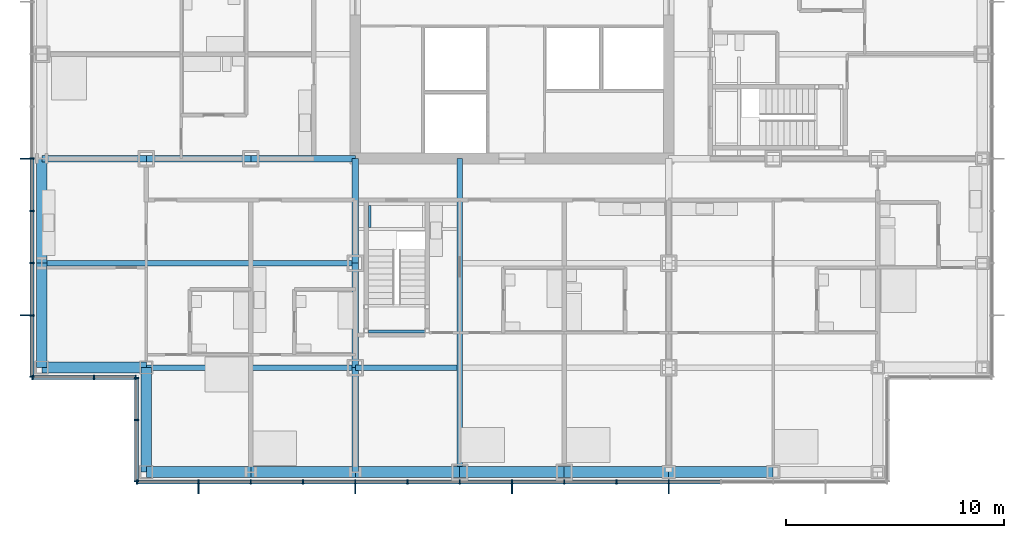
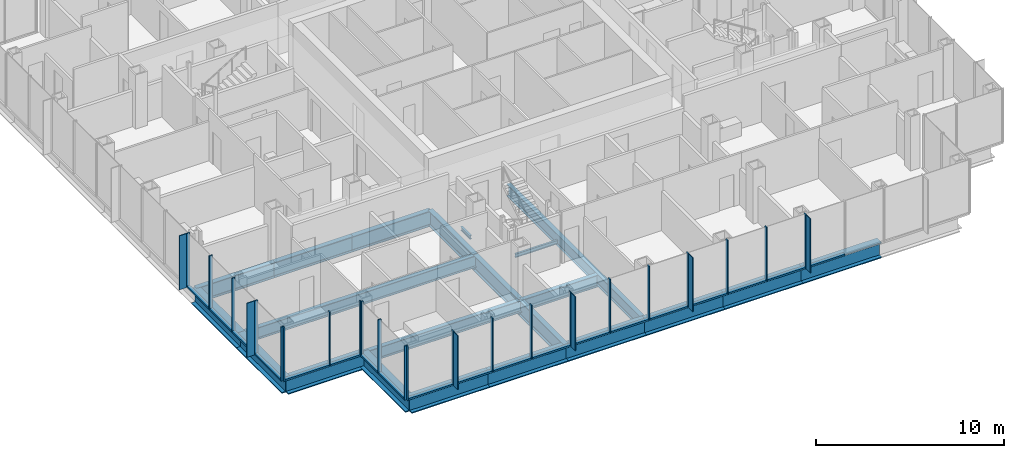
# One storey, part 6 of 21: 47 members, 22 beams, 4 elements without a shape of their own.
"""IFC4 building model written with IfcOpenShell, lengths in metres."""

from ifc_helpers import new_model, si_unit, direction, frame, origin, origin_2d, place, context, subcontext, project, spatial, rectangle, i_section, extrude, material, material_profile, profile_set, type_object, element, aggregate, save


model = new_model("IFC4")

# Units and contexts
model_context = context("Model", 3, precision=1e-05, world=origin(), true_north=direction((0.0, 1.0)))
body_context = subcontext(model_context, "Body", "Model", "MODEL_VIEW")
ifc_project = project(units=[si_unit("LENGTHUNIT", "METRE"), si_unit("AREAUNIT", "SQUARE_METRE"), si_unit("VOLUMEUNIT", "CUBIC_METRE"), si_unit("PLANEANGLEUNIT", "RADIAN"), si_unit("MASSUNIT", "GRAM", prefix="KILO")], contexts=[model_context])

# Site, building, storey
site_placement = place(None, origin())
site = spatial("IfcSite", under=ifc_project, at=site_placement, CompositionType="ELEMENT")
building_placement = place(site_placement, origin())
building = spatial("IfcBuilding", under=site, at=building_placement, Name="Kvirike Care Tower", CompositionType="ELEMENT")
storey_placement = place(building_placement, frame((0.0, 0.0, 27.0)))
storey = spatial("IfcBuildingStorey", under=building, at=storey_placement, Name="L06", CompositionType="ELEMENT", Elevation=27.0)

# Curtain wall, members
ifc_material_1 = material(Name="Anodised aluminium stick system", Category="aluminium")
curtain_wall_type = type_object("IfcCurtainWallType", Name="CW-A STICK CURTAIN WALL", PredefinedType="NOTDEFINED", material=ifc_material_1)
curtain_wall_1_placement = place(storey_placement, origin())
curtain_wall_1 = element("IfcCurtainWall", 1, at=curtain_wall_1_placement, inside=storey, type_object=curtain_wall_type, Name="Curtain wall L06 face 1", PredefinedType="NOTDEFINED")
ifc_material_2 = material(Name="Bronze anodised aluminium fin", Category="aluminium")
ifc_material_profile_1 = material_profile(ifc_material_2, rectangle(XDim=0.050048828125, YDim=0.449951171875, at=origin_2d()), Name="BRONZE FIN 450")
ifc_profile_set_1 = profile_set([ifc_material_profile_1], Name="Bronze anodised aluminium fin")
member_type_1 = type_object("IfcMemberType", Name="BRONZE FIN 450", PredefinedType="USERDEFINED", material=ifc_profile_set_1)
member_1_placement = place(storey_placement, frame((-0.77490234375, 28.800048828125, 0.0), z_axis=(0.0, 0.0, 1.0), x_axis=(0.0, -1.0, 0.0)))
member_1 = element("IfcMember", 2, at=member_1_placement, type_object=member_type_1, Name="Bronze fin L06 face 1.11", ObjectType="FIN", PredefinedType="USERDEFINED", context=body_context, shape_type="SweptSolid", body=[
    extrude(rectangle(XDim=0.050048828125, YDim=0.449951171875, at=origin_2d()), origin(), (0.0, 0.0, 1.0), 3.5),
])
member_2_placement = place(storey_placement, frame((-0.77490234375, 21.60009765625, 0.0), z_axis=(0.0, 0.0, 1.0), x_axis=(0.0, -1.0, 0.0)))
member_2 = element("IfcMember", 3, at=member_2_placement, type_object=member_type_1, Name="Bronze fin L06 face 1.14", ObjectType="FIN", PredefinedType="USERDEFINED", context=body_context, shape_type="SweptSolid", body=[
    extrude(rectangle(XDim=0.050048828125, YDim=0.449951171875, at=origin_2d()), origin(), (0.0, 0.0, 1.0), 3.5),
])

curtain_wall_2_placement = place(storey_placement, origin())
curtain_wall_2 = element("IfcCurtainWall", 4, at=curtain_wall_2_placement, inside=storey, type_object=curtain_wall_type, Name="Curtain wall L06 face 4", PredefinedType="NOTDEFINED")
member_3_placement = place(storey_placement, frame((7.199951171875, 13.625, 0.0), z_axis=(0.0, 0.0, 1.0), x_axis=(1.0, 0.0, 0.0)))
member_3 = element("IfcMember", 5, at=member_3_placement, type_object=member_type_1, Name="Bronze fin L06 face 4.2", ObjectType="FIN", PredefinedType="USERDEFINED", context=body_context, shape_type="SweptSolid", body=[
    extrude(rectangle(XDim=0.050048828125, YDim=0.449951171875, at=origin_2d()), origin(), (0.0, 0.0, 1.0), 3.5),
])
member_4_placement = place(storey_placement, frame((14.39990234375, 13.625, 0.0), z_axis=(0.0, 0.0, 1.0), x_axis=(1.0, 0.0, 0.0)))
member_4 = element("IfcMember", 6, at=member_4_placement, type_object=member_type_1, Name="Bronze fin L06 face 4.5", ObjectType="FIN", PredefinedType="USERDEFINED", context=body_context, shape_type="SweptSolid", body=[
    extrude(rectangle(XDim=0.050048828125, YDim=0.449951171875, at=origin_2d()), origin(), (0.0, 0.0, 1.0), 3.5),
])
member_5_placement = place(storey_placement, frame((21.60009765625, 13.625, 0.0), z_axis=(0.0, 0.0, 1.0), x_axis=(1.0, 0.0, 0.0)))
member_5 = element("IfcMember", 7, at=member_5_placement, type_object=member_type_1, Name="Bronze fin L06 face 4.8", ObjectType="FIN", PredefinedType="USERDEFINED", context=body_context, shape_type="SweptSolid", body=[
    extrude(rectangle(XDim=0.050048828125, YDim=0.449951171875, at=origin_2d()), origin(), (0.0, 0.0, 1.0), 3.5),
])
member_6_placement = place(storey_placement, frame((28.800048828125, 13.625, 0.0), z_axis=(0.0, 0.0, 1.0), x_axis=(1.0, 0.0, 0.0)))
member_6 = element("IfcMember", 8, at=member_6_placement, type_object=member_type_1, Name="Bronze fin L06 face 4.11", ObjectType="FIN", PredefinedType="USERDEFINED", context=body_context, shape_type="SweptSolid", body=[
    extrude(rectangle(XDim=0.050048828125, YDim=0.449951171875, at=origin_2d()), origin(), (0.0, 0.0, 1.0), 3.5),
])

# Member
ifc_material_3 = material(Name="Bronze anodised aluminium mullion", Category="aluminium")
ifc_material_profile_2 = material_profile(ifc_material_3, rectangle(XDim=0.06494140625, YDim=0.199951171875, at=origin_2d()), Name="CW-A MULLION 65x200")
ifc_profile_set_2 = profile_set([ifc_material_profile_2], Name="Bronze anodised aluminium mullion")
member_type_2 = type_object("IfcMemberType", Name="CW-A MULLION 65x200", PredefinedType="MULLION", material=ifc_profile_set_2)
member_7_placement = place(storey_placement, frame((-0.449951171875, 28.800048828125, 0.0), z_axis=(0.0, 0.0, 1.0), x_axis=(0.0, -1.0, 0.0)))
member_7 = element("IfcMember", 9, at=member_7_placement, type_object=member_type_2, Name="CW-A mullion L06 face 1.11", PredefinedType="MULLION", context=body_context, shape_type="SweptSolid", body=[
    extrude(rectangle(XDim=0.06494140625, YDim=0.199951171875, at=origin_2d()), origin(), (0.0, 0.0, 1.0), 3.5),
])

member_8_placement = place(storey_placement, frame((-0.449951171875, 26.39990234375, 0.0), z_axis=(0.0, 0.0, 1.0), x_axis=(0.0, -1.0, 0.0)))
member_8 = element("IfcMember", 10, at=member_8_placement, type_object=member_type_2, Name="CW-A mullion L06 face 1.12", PredefinedType="MULLION", context=body_context, shape_type="SweptSolid", body=[
    extrude(rectangle(XDim=0.06494140625, YDim=0.199951171875, at=origin_2d()), origin(), (0.0, 0.0, 1.0), 3.5),
])

member_9_placement = place(storey_placement, frame((-0.449951171875, 24.0, 0.0), z_axis=(0.0, 0.0, 1.0), x_axis=(0.0, -1.0, 0.0)))
member_9 = element("IfcMember", 11, at=member_9_placement, type_object=member_type_2, Name="CW-A mullion L06 face 1.13", PredefinedType="MULLION", context=body_context, shape_type="SweptSolid", body=[
    extrude(rectangle(XDim=0.06494140625, YDim=0.199951171875, at=origin_2d()), origin(), (0.0, 0.0, 1.0), 3.5),
])

member_10_placement = place(storey_placement, frame((-0.449951171875, 21.60009765625, 0.0), z_axis=(0.0, 0.0, 1.0), x_axis=(0.0, -1.0, 0.0)))
member_10 = element("IfcMember", 12, at=member_10_placement, type_object=member_type_2, Name="CW-A mullion L06 face 1.14", PredefinedType="MULLION", context=body_context, shape_type="SweptSolid", body=[
    extrude(rectangle(XDim=0.06494140625, YDim=0.199951171875, at=origin_2d()), origin(), (0.0, 0.0, 1.0), 3.5),
])

member_11_placement = place(storey_placement, frame((-0.449951171875, 18.782470703125, 0.0), z_axis=(0.0, 0.0, 1.0), x_axis=(0.0, -1.0, 0.0)))
member_11 = element("IfcMember", 13, at=member_11_placement, type_object=member_type_2, Name="CW-A mullion L06 face 1.15", PredefinedType="MULLION", context=body_context, shape_type="SweptSolid", body=[
    extrude(rectangle(XDim=0.06494140625, YDim=0.199951171875, at=origin_2d()), origin(), (0.0, 0.0, 1.0), 3.5),
])

# Curtain wall, members
curtain_wall_3_placement = place(storey_placement, origin())
curtain_wall_3 = element("IfcCurtainWall", 14, at=curtain_wall_3_placement, inside=storey, type_object=curtain_wall_type, Name="Curtain wall L06 face 2", PredefinedType="NOTDEFINED")
member_12_placement = place(storey_placement, frame((-0.41748046875, 18.75, 0.0), z_axis=(0.0, 0.0, 1.0), x_axis=(1.0, 0.0, 0.0)))
member_12 = element("IfcMember", 15, at=member_12_placement, type_object=member_type_2, Name="CW-A mullion L06 face 2.1", PredefinedType="MULLION", context=body_context, shape_type="SweptSolid", body=[
    extrude(rectangle(XDim=0.06494140625, YDim=0.199951171875, at=origin_2d()), origin(), (0.0, 0.0, 1.0), 3.5),
])
member_13_placement = place(storey_placement, frame((2.39990234375, 18.75, 0.0), z_axis=(0.0, 0.0, 1.0), x_axis=(1.0, 0.0, 0.0)))
member_13 = element("IfcMember", 16, at=member_13_placement, type_object=member_type_2, Name="CW-A mullion L06 face 2.2", PredefinedType="MULLION", context=body_context, shape_type="SweptSolid", body=[
    extrude(rectangle(XDim=0.06494140625, YDim=0.199951171875, at=origin_2d()), origin(), (0.0, 0.0, 1.0), 3.5),
])
member_14_placement = place(storey_placement, frame((4.3173828125, 18.75, 0.0), z_axis=(0.0, 0.0, 1.0), x_axis=(1.0, 0.0, 0.0)))
member_14 = element("IfcMember", 17, at=member_14_placement, type_object=member_type_2, Name="CW-A mullion L06 face 2.3", PredefinedType="MULLION", context=body_context, shape_type="SweptSolid", body=[
    extrude(rectangle(XDim=0.06494140625, YDim=0.199951171875, at=origin_2d()), origin(), (0.0, 0.0, 1.0), 3.5),
])

curtain_wall_4_placement = place(storey_placement, origin())
curtain_wall_4 = element("IfcCurtainWall", 18, at=curtain_wall_4_placement, inside=storey, type_object=curtain_wall_type, Name="Curtain wall L06 face 3", PredefinedType="NOTDEFINED")
member_15_placement = place(storey_placement, frame((4.35009765625, 18.717529296875, 0.0), z_axis=(0.0, 0.0, 1.0), x_axis=(0.0, -1.0, 0.0)))
member_15 = element("IfcMember", 19, at=member_15_placement, type_object=member_type_2, Name="CW-A mullion L06 face 3.1", PredefinedType="MULLION", context=body_context, shape_type="SweptSolid", body=[
    extrude(rectangle(XDim=0.06494140625, YDim=0.199951171875, at=origin_2d()), origin(), (0.0, 0.0, 1.0), 3.5),
])
member_16_placement = place(storey_placement, frame((4.35009765625, 16.800048828125, 0.0), z_axis=(0.0, 0.0, 1.0), x_axis=(0.0, -1.0, 0.0)))
member_16 = element("IfcMember", 20, at=member_16_placement, type_object=member_type_2, Name="CW-A mullion L06 face 3.2", PredefinedType="MULLION", context=body_context, shape_type="SweptSolid", body=[
    extrude(rectangle(XDim=0.06494140625, YDim=0.199951171875, at=origin_2d()), origin(), (0.0, 0.0, 1.0), 3.5),
])
member_17_placement = place(storey_placement, frame((4.35009765625, 13.982421875, 0.0), z_axis=(0.0, 0.0, 1.0), x_axis=(0.0, -1.0, 0.0)))
member_17 = element("IfcMember", 21, at=member_17_placement, type_object=member_type_2, Name="CW-A mullion L06 face 3.3", PredefinedType="MULLION", context=body_context, shape_type="SweptSolid", body=[
    extrude(rectangle(XDim=0.06494140625, YDim=0.199951171875, at=origin_2d()), origin(), (0.0, 0.0, 1.0), 3.5),
])

# Member
member_18_placement = place(storey_placement, frame((4.382568359375, 13.949951171875, 0.0), z_axis=(0.0, 0.0, 1.0), x_axis=(1.0, 0.0, 0.0)))
member_18 = element("IfcMember", 22, at=member_18_placement, type_object=member_type_2, Name="CW-A mullion L06 face 4.1", PredefinedType="MULLION", context=body_context, shape_type="SweptSolid", body=[
    extrude(rectangle(XDim=0.06494140625, YDim=0.199951171875, at=origin_2d()), origin(), (0.0, 0.0, 1.0), 3.5),
])

member_19_placement = place(storey_placement, frame((7.199951171875, 13.949951171875, 0.0), z_axis=(0.0, 0.0, 1.0), x_axis=(1.0, 0.0, 0.0)))
member_19 = element("IfcMember", 23, at=member_19_placement, type_object=member_type_2, Name="CW-A mullion L06 face 4.2", PredefinedType="MULLION", context=body_context, shape_type="SweptSolid", body=[
    extrude(rectangle(XDim=0.06494140625, YDim=0.199951171875, at=origin_2d()), origin(), (0.0, 0.0, 1.0), 3.5),
])

member_20_placement = place(storey_placement, frame((9.60009765625, 13.949951171875, 0.0), z_axis=(0.0, 0.0, 1.0), x_axis=(1.0, 0.0, 0.0)))
member_20 = element("IfcMember", 24, at=member_20_placement, type_object=member_type_2, Name="CW-A mullion L06 face 4.3", PredefinedType="MULLION", context=body_context, shape_type="SweptSolid", body=[
    extrude(rectangle(XDim=0.06494140625, YDim=0.199951171875, at=origin_2d()), origin(), (0.0, 0.0, 1.0), 3.5),
])

member_21_placement = place(storey_placement, frame((12.0, 13.949951171875, 0.0), z_axis=(0.0, 0.0, 1.0), x_axis=(1.0, 0.0, 0.0)))
member_21 = element("IfcMember", 25, at=member_21_placement, type_object=member_type_2, Name="CW-A mullion L06 face 4.4", PredefinedType="MULLION", context=body_context, shape_type="SweptSolid", body=[
    extrude(rectangle(XDim=0.06494140625, YDim=0.199951171875, at=origin_2d()), origin(), (0.0, 0.0, 1.0), 3.5),
])

member_22_placement = place(storey_placement, frame((14.39990234375, 13.949951171875, 0.0), z_axis=(0.0, 0.0, 1.0), x_axis=(1.0, 0.0, 0.0)))
member_22 = element("IfcMember", 26, at=member_22_placement, type_object=member_type_2, Name="CW-A mullion L06 face 4.5", PredefinedType="MULLION", context=body_context, shape_type="SweptSolid", body=[
    extrude(rectangle(XDim=0.06494140625, YDim=0.199951171875, at=origin_2d()), origin(), (0.0, 0.0, 1.0), 3.5),
])

member_23_placement = place(storey_placement, frame((16.800048828125, 13.949951171875, 0.0), z_axis=(0.0, 0.0, 1.0), x_axis=(1.0, 0.0, 0.0)))
member_23 = element("IfcMember", 27, at=member_23_placement, type_object=member_type_2, Name="CW-A mullion L06 face 4.6", PredefinedType="MULLION", context=body_context, shape_type="SweptSolid", body=[
    extrude(rectangle(XDim=0.06494140625, YDim=0.199951171875, at=origin_2d()), origin(), (0.0, 0.0, 1.0), 3.5),
])

member_24_placement = place(storey_placement, frame((19.199951171875, 13.949951171875, 0.0), z_axis=(0.0, 0.0, 1.0), x_axis=(1.0, 0.0, 0.0)))
member_24 = element("IfcMember", 28, at=member_24_placement, type_object=member_type_2, Name="CW-A mullion L06 face 4.7", PredefinedType="MULLION", context=body_context, shape_type="SweptSolid", body=[
    extrude(rectangle(XDim=0.06494140625, YDim=0.199951171875, at=origin_2d()), origin(), (0.0, 0.0, 1.0), 3.5),
])

member_25_placement = place(storey_placement, frame((21.60009765625, 13.949951171875, 0.0), z_axis=(0.0, 0.0, 1.0), x_axis=(1.0, 0.0, 0.0)))
member_25 = element("IfcMember", 29, at=member_25_placement, type_object=member_type_2, Name="CW-A mullion L06 face 4.8", PredefinedType="MULLION", context=body_context, shape_type="SweptSolid", body=[
    extrude(rectangle(XDim=0.06494140625, YDim=0.199951171875, at=origin_2d()), origin(), (0.0, 0.0, 1.0), 3.5),
])

member_26_placement = place(storey_placement, frame((24.0, 13.949951171875, 0.0), z_axis=(0.0, 0.0, 1.0), x_axis=(1.0, 0.0, 0.0)))
member_26 = element("IfcMember", 30, at=member_26_placement, type_object=member_type_2, Name="CW-A mullion L06 face 4.9", PredefinedType="MULLION", context=body_context, shape_type="SweptSolid", body=[
    extrude(rectangle(XDim=0.06494140625, YDim=0.199951171875, at=origin_2d()), origin(), (0.0, 0.0, 1.0), 3.5),
])

member_27_placement = place(storey_placement, frame((26.39990234375, 13.949951171875, 0.0), z_axis=(0.0, 0.0, 1.0), x_axis=(1.0, 0.0, 0.0)))
member_27 = element("IfcMember", 31, at=member_27_placement, type_object=member_type_2, Name="CW-A mullion L06 face 4.10", PredefinedType="MULLION", context=body_context, shape_type="SweptSolid", body=[
    extrude(rectangle(XDim=0.06494140625, YDim=0.199951171875, at=origin_2d()), origin(), (0.0, 0.0, 1.0), 3.5),
])

member_28_placement = place(storey_placement, frame((28.800048828125, 13.949951171875, 0.0), z_axis=(0.0, 0.0, 1.0), x_axis=(1.0, 0.0, 0.0)))
member_28 = element("IfcMember", 32, at=member_28_placement, type_object=member_type_2, Name="CW-A mullion L06 face 4.11", PredefinedType="MULLION", context=body_context, shape_type="SweptSolid", body=[
    extrude(rectangle(XDim=0.06494140625, YDim=0.199951171875, at=origin_2d()), origin(), (0.0, 0.0, 1.0), 3.5),
])

ifc_material_4 = material(Name="Bronze anodised aluminium transom", Category="aluminium")
ifc_material_profile_3 = material_profile(ifc_material_4, rectangle(XDim=0.199951171875, YDim=0.10009765625, at=origin_2d()), Name="CW-A TRANSOM 200x100")
ifc_profile_set_3 = profile_set([ifc_material_profile_3], Name="Bronze anodised aluminium transom")
member_type_3 = type_object("IfcMemberType", Name="CW-A TRANSOM 200x100", PredefinedType="USERDEFINED", material=ifc_profile_set_3)
member_29_placement = place(storey_placement, frame((-0.449951171875, 28.767578125, 0.050048828125), z_axis=(0.0, -1.0, 0.0), x_axis=(1.0, 0.0, 0.0)))
member_29 = element("IfcMember", 33, at=member_29_placement, type_object=member_type_3, Name="CW-A sill transom L06 face 1.11", ObjectType="TRANSOM", PredefinedType="USERDEFINED", context=body_context, shape_type="SweptSolid", body=[
    extrude(rectangle(XDim=0.199951171875, YDim=0.10009765625, at=origin_2d()), origin(), (0.0, 0.0, 1.0), 2.3349609375),
])

member_30_placement = place(storey_placement, frame((-0.449951171875, 26.367431640625, 0.050048828125), z_axis=(0.0, -1.0, 0.0), x_axis=(1.0, 0.0, 0.0)))
member_30 = element("IfcMember", 34, at=member_30_placement, type_object=member_type_3, Name="CW-A sill transom L06 face 1.12", ObjectType="TRANSOM", PredefinedType="USERDEFINED", context=body_context, shape_type="SweptSolid", body=[
    extrude(rectangle(XDim=0.199951171875, YDim=0.10009765625, at=origin_2d()), origin(), (0.0, 0.0, 1.0), 2.3349609375),
])

member_31_placement = place(storey_placement, frame((-0.449951171875, 23.967529296875, 0.050048828125), z_axis=(0.0, -1.0, 0.0), x_axis=(1.0, 0.0, 0.0)))
member_31 = element("IfcMember", 35, at=member_31_placement, type_object=member_type_3, Name="CW-A sill transom L06 face 1.13", ObjectType="TRANSOM", PredefinedType="USERDEFINED", context=body_context, shape_type="SweptSolid", body=[
    extrude(rectangle(XDim=0.199951171875, YDim=0.10009765625, at=origin_2d()), origin(), (0.0, 0.0, 1.0), 2.3349609375),
])

member_32_placement = place(storey_placement, frame((-0.449951171875, 21.5673828125, 0.050048828125), z_axis=(0.0, -1.0, 0.0), x_axis=(1.0, 0.0, 0.0)))
member_32 = element("IfcMember", 36, at=member_32_placement, type_object=member_type_3, Name="CW-A sill transom L06 face 1.14", ObjectType="TRANSOM", PredefinedType="USERDEFINED", context=body_context, shape_type="SweptSolid", body=[
    extrude(rectangle(XDim=0.199951171875, YDim=0.10009765625, at=origin_2d()), origin(), (0.0, 0.0, 1.0), 2.75244140625),
])

aggregate(curtain_wall_1, [member_7, member_1, member_8, member_9, member_10, member_2, member_11, member_29, member_30, member_31, member_32])

member_33_placement = place(storey_placement, frame((-0.385009765625, 18.75, 0.050048828125), z_axis=(1.0, 0.0, 0.0), x_axis=(0.0, 1.0, 0.0)))
member_33 = element("IfcMember", 37, at=member_33_placement, type_object=member_type_3, Name="CW-A sill transom L06 face 2.1", ObjectType="TRANSOM", PredefinedType="USERDEFINED", context=body_context, shape_type="SweptSolid", body=[
    extrude(rectangle(XDim=0.199951171875, YDim=0.10009765625, at=origin_2d()), origin(), (0.0, 0.0, 1.0), 2.75244140625),
])

member_34_placement = place(storey_placement, frame((2.4326171875, 18.75, 0.050048828125), z_axis=(1.0, 0.0, 0.0), x_axis=(0.0, 1.0, 0.0)))
member_34 = element("IfcMember", 38, at=member_34_placement, type_object=member_type_3, Name="CW-A sill transom L06 face 2.2", ObjectType="TRANSOM", PredefinedType="USERDEFINED", context=body_context, shape_type="SweptSolid", body=[
    extrude(rectangle(XDim=0.199951171875, YDim=0.10009765625, at=origin_2d()), origin(), (0.0, 0.0, 1.0), 1.852294921875),
])

aggregate(curtain_wall_3, [member_12, member_13, member_14, member_33, member_34])

member_35_placement = place(storey_placement, frame((4.35009765625, 18.68505859375, 0.050048828125), z_axis=(0.0, -1.0, 0.0), x_axis=(1.0, 0.0, 0.0)))
member_35 = element("IfcMember", 39, at=member_35_placement, type_object=member_type_3, Name="CW-A sill transom L06 face 3.1", ObjectType="TRANSOM", PredefinedType="USERDEFINED", context=body_context, shape_type="SweptSolid", body=[
    extrude(rectangle(XDim=0.199951171875, YDim=0.10009765625, at=origin_2d()), origin(), (0.0, 0.0, 1.0), 1.8525390625),
])

member_36_placement = place(storey_placement, frame((4.35009765625, 16.767578125, 0.050048828125), z_axis=(0.0, -1.0, 0.0), x_axis=(1.0, 0.0, 0.0)))
member_36 = element("IfcMember", 40, at=member_36_placement, type_object=member_type_3, Name="CW-A sill transom L06 face 3.2", ObjectType="TRANSOM", PredefinedType="USERDEFINED", context=body_context, shape_type="SweptSolid", body=[
    extrude(rectangle(XDim=0.199951171875, YDim=0.10009765625, at=origin_2d()), origin(), (0.0, 0.0, 1.0), 2.752685546875),
])

aggregate(curtain_wall_4, [member_15, member_16, member_17, member_35, member_36])

member_37_placement = place(storey_placement, frame((4.4150390625, 13.949951171875, 0.050048828125), z_axis=(1.0, 0.0, 0.0), x_axis=(0.0, 1.0, 0.0)))
member_37 = element("IfcMember", 41, at=member_37_placement, type_object=member_type_3, Name="CW-A sill transom L06 face 4.1", ObjectType="TRANSOM", PredefinedType="USERDEFINED", context=body_context, shape_type="SweptSolid", body=[
    extrude(rectangle(XDim=0.199951171875, YDim=0.10009765625, at=origin_2d()), origin(), (0.0, 0.0, 1.0), 2.75244140625),
])

member_38_placement = place(storey_placement, frame((7.232421875, 13.949951171875, 0.050048828125), z_axis=(1.0, 0.0, 0.0), x_axis=(0.0, 1.0, 0.0)))
member_38 = element("IfcMember", 42, at=member_38_placement, type_object=member_type_3, Name="CW-A sill transom L06 face 4.2", ObjectType="TRANSOM", PredefinedType="USERDEFINED", context=body_context, shape_type="SweptSolid", body=[
    extrude(rectangle(XDim=0.199951171875, YDim=0.10009765625, at=origin_2d()), origin(), (0.0, 0.0, 1.0), 2.3349609375),
])

member_39_placement = place(storey_placement, frame((9.632568359375, 13.949951171875, 0.050048828125), z_axis=(1.0, 0.0, 0.0), x_axis=(0.0, 1.0, 0.0)))
member_39 = element("IfcMember", 43, at=member_39_placement, type_object=member_type_3, Name="CW-A sill transom L06 face 4.3", ObjectType="TRANSOM", PredefinedType="USERDEFINED", context=body_context, shape_type="SweptSolid", body=[
    extrude(rectangle(XDim=0.199951171875, YDim=0.10009765625, at=origin_2d()), origin(), (0.0, 0.0, 1.0), 2.3349609375),
])

member_40_placement = place(storey_placement, frame((12.032470703125, 13.949951171875, 0.050048828125), z_axis=(1.0, 0.0, 0.0), x_axis=(0.0, 1.0, 0.0)))
member_40 = element("IfcMember", 44, at=member_40_placement, type_object=member_type_3, Name="CW-A sill transom L06 face 4.4", ObjectType="TRANSOM", PredefinedType="USERDEFINED", context=body_context, shape_type="SweptSolid", body=[
    extrude(rectangle(XDim=0.199951171875, YDim=0.10009765625, at=origin_2d()), origin(), (0.0, 0.0, 1.0), 2.3349609375),
])

member_41_placement = place(storey_placement, frame((14.4326171875, 13.949951171875, 0.050048828125), z_axis=(1.0, 0.0, 0.0), x_axis=(0.0, 1.0, 0.0)))
member_41 = element("IfcMember", 45, at=member_41_placement, type_object=member_type_3, Name="CW-A sill transom L06 face 4.5", ObjectType="TRANSOM", PredefinedType="USERDEFINED", context=body_context, shape_type="SweptSolid", body=[
    extrude(rectangle(XDim=0.199951171875, YDim=0.10009765625, at=origin_2d()), origin(), (0.0, 0.0, 1.0), 2.3349609375),
])

member_42_placement = place(storey_placement, frame((16.83251953125, 13.949951171875, 0.050048828125), z_axis=(1.0, 0.0, 0.0), x_axis=(0.0, 1.0, 0.0)))
member_42 = element("IfcMember", 46, at=member_42_placement, type_object=member_type_3, Name="CW-A sill transom L06 face 4.6", ObjectType="TRANSOM", PredefinedType="USERDEFINED", context=body_context, shape_type="SweptSolid", body=[
    extrude(rectangle(XDim=0.199951171875, YDim=0.10009765625, at=origin_2d()), origin(), (0.0, 0.0, 1.0), 2.3349609375),
])

member_43_placement = place(storey_placement, frame((19.232421875, 13.949951171875, 0.050048828125), z_axis=(1.0, 0.0, 0.0), x_axis=(0.0, 1.0, 0.0)))
member_43 = element("IfcMember", 47, at=member_43_placement, type_object=member_type_3, Name="CW-A sill transom L06 face 4.7", ObjectType="TRANSOM", PredefinedType="USERDEFINED", context=body_context, shape_type="SweptSolid", body=[
    extrude(rectangle(XDim=0.199951171875, YDim=0.10009765625, at=origin_2d()), origin(), (0.0, 0.0, 1.0), 2.3349609375),
])

member_44_placement = place(storey_placement, frame((21.632568359375, 13.949951171875, 0.050048828125), z_axis=(1.0, 0.0, 0.0), x_axis=(0.0, 1.0, 0.0)))
member_44 = element("IfcMember", 48, at=member_44_placement, type_object=member_type_3, Name="CW-A sill transom L06 face 4.8", ObjectType="TRANSOM", PredefinedType="USERDEFINED", context=body_context, shape_type="SweptSolid", body=[
    extrude(rectangle(XDim=0.199951171875, YDim=0.10009765625, at=origin_2d()), origin(), (0.0, 0.0, 1.0), 2.3349609375),
])

member_45_placement = place(storey_placement, frame((24.032470703125, 13.949951171875, 0.050048828125), z_axis=(1.0, 0.0, 0.0), x_axis=(0.0, 1.0, 0.0)))
member_45 = element("IfcMember", 49, at=member_45_placement, type_object=member_type_3, Name="CW-A sill transom L06 face 4.9", ObjectType="TRANSOM", PredefinedType="USERDEFINED", context=body_context, shape_type="SweptSolid", body=[
    extrude(rectangle(XDim=0.199951171875, YDim=0.10009765625, at=origin_2d()), origin(), (0.0, 0.0, 1.0), 2.3349609375),
])

member_46_placement = place(storey_placement, frame((26.4326171875, 13.949951171875, 0.050048828125), z_axis=(1.0, 0.0, 0.0), x_axis=(0.0, 1.0, 0.0)))
member_46 = element("IfcMember", 50, at=member_46_placement, type_object=member_type_3, Name="CW-A sill transom L06 face 4.10", ObjectType="TRANSOM", PredefinedType="USERDEFINED", context=body_context, shape_type="SweptSolid", body=[
    extrude(rectangle(XDim=0.199951171875, YDim=0.10009765625, at=origin_2d()), origin(), (0.0, 0.0, 1.0), 2.3349609375),
])

member_47_placement = place(storey_placement, frame((28.83251953125, 13.949951171875, 0.050048828125), z_axis=(1.0, 0.0, 0.0), x_axis=(0.0, 1.0, 0.0)))
member_47 = element("IfcMember", 51, at=member_47_placement, type_object=member_type_3, Name="CW-A sill transom L06 face 4.11", ObjectType="TRANSOM", PredefinedType="USERDEFINED", context=body_context, shape_type="SweptSolid", body=[
    extrude(rectangle(XDim=0.199951171875, YDim=0.10009765625, at=origin_2d()), origin(), (0.0, 0.0, 1.0), 2.3349609375),
])

aggregate(curtain_wall_2, [member_18, member_19, member_3, member_20, member_21, member_22, member_4, member_23, member_24, member_25, member_5, member_26, member_27, member_28, member_6, member_37, member_38, member_39, member_40, member_41, member_42, member_43, member_44, member_45, member_46, member_47])

# Beams
ifc_material_5 = material(Name="Steel S355", Category="steel")
ifc_material_profile_4 = material_profile(ifc_material_5, i_section(OverallWidth=0.26806640625, OverallDepth=0.77001953125, WebThickness=0.015625, FlangeThickness=0.025390625, FilletRadius=0.01708984375, at=origin_2d()), Name="IPE 750x196")
ifc_profile_set_4 = profile_set([ifc_material_profile_4], Name="Steel S355")
beam_type_1 = type_object("IfcBeamType", Name="FLOOR BEAM IPE 750x196", PredefinedType="BEAM", material=ifc_profile_set_4)
beam_1_placement = place(storey_placement, frame((4.800048828125, 19.199951171875, -0.554931640625), z_axis=(1.0, 0.0, 0.0), x_axis=(0.0, 1.0, 0.0)))
element("IfcBeam", 52, at=beam_1_placement, inside=storey, type_object=beam_type_1, Name="Floor Beam E4-E6 L06", PredefinedType="BEAM", context=body_context, shape_type="SweptSolid", body=[
    extrude(i_section(OverallWidth=0.26806640625, OverallDepth=0.77001953125, WebThickness=0.015625, FlangeThickness=0.025390625, FilletRadius=0.01708984375, at=origin_2d()), origin(), (0.0, 0.0, 1.0), 9.599853515625),
])
beam_2_placement = place(storey_placement, frame((14.39990234375, 19.199951171875, -0.554931640625), z_axis=(1.0, 0.0, 0.0), x_axis=(0.0, 1.0, 0.0)))
element("IfcBeam", 53, at=beam_2_placement, inside=storey, type_object=beam_type_1, Name="Floor Beam E6-E7 L06", PredefinedType="BEAM", context=body_context, shape_type="SweptSolid", body=[
    extrude(i_section(OverallWidth=0.26806640625, OverallDepth=0.77001953125, WebThickness=0.015625, FlangeThickness=0.025390625, FilletRadius=0.01708984375, at=origin_2d()), origin(), (0.0, 0.0, 1.0), 4.666015625),
])
beam_3_placement = place(storey_placement, frame((0.0, 24.0, -0.554931640625), z_axis=(1.0, 0.0, 0.0), x_axis=(0.0, 1.0, 0.0)))
element("IfcBeam", 54, at=beam_3_placement, inside=storey, type_object=beam_type_1, Name="Floor Beam F3-F6 L06", PredefinedType="BEAM", context=body_context, shape_type="SweptSolid", body=[
    extrude(i_section(OverallWidth=0.26806640625, OverallDepth=0.77001953125, WebThickness=0.015625, FlangeThickness=0.025390625, FilletRadius=0.01708984375, at=origin_2d()), origin(), (0.0, 0.0, 1.0), 14.39990234375),
])
beam_4_placement = place(storey_placement, frame((19.199951171875, 14.39990234375, -0.554931640625), z_axis=(0.0, 1.0, 0.0), x_axis=(-1.0, 0.0, 0.0)))
element("IfcBeam", 55, at=beam_4_placement, inside=storey, type_object=beam_type_1, Name="Floor Beam D7-G7 L06", PredefinedType="BEAM", context=body_context, shape_type="SweptSolid", body=[
    extrude(i_section(OverallWidth=0.26806640625, OverallDepth=0.77001953125, WebThickness=0.015625, FlangeThickness=0.025390625, FilletRadius=0.01708984375, at=origin_2d()), origin(), (0.0, 0.0, 1.0), 14.400146484375),
])
ifc_material_6 = material(Name="Steel S355", Category="steel")
ifc_material_profile_5 = material_profile(ifc_material_6, i_section(OverallWidth=0.300048828125, OverallDepth=1.0, WebThickness=0.01904296875, FlangeThickness=0.035888671875, FilletRadius=0.030029296875, at=origin_2d()), Name="HE 1000 B")
ifc_profile_set_5 = profile_set([ifc_material_profile_5], Name="Steel S355")
beam_type_2 = type_object("IfcBeamType", Name="FRAME BEAM HE 1000 B", PredefinedType="BEAM", material=ifc_profile_set_5)
for number, where, z_axis, x_axis, name in (
    (56, (0.0, 28.800048828125, -0.669921875), (1.0, 0.0, 0.0), (0.0, 1.0, 0.0), "Frame Beam G3-G4 L06"),
    (57, (4.800048828125, 28.800048828125, -0.669921875), (1.0, 0.0, 0.0), (0.0, 1.0, 0.0), "Frame Beam G4-G5 L06"),
):
    element("IfcBeam", number, at=place(storey_placement, frame(where, z_axis=z_axis, x_axis=x_axis)), inside=storey, type_object=beam_type_2, Name=name, PredefinedType="BEAM", context=body_context, shape_type="SweptSolid", body=[
        extrude(i_section(OverallWidth=0.300048828125, OverallDepth=1.0, WebThickness=0.01904296875, FlangeThickness=0.035888671875, FilletRadius=0.030029296875, at=origin_2d()), origin(), (0.0, 0.0, 1.0), 4.800048828125),
    ])
beam_5_placement = place(storey_placement, frame((9.60009765625, 28.800048828125, -0.669921875), z_axis=(1.0, 0.0, 0.0), x_axis=(0.0, 1.0, 0.0)))
element("IfcBeam", 58, at=beam_5_placement, inside=storey, type_object=beam_type_2, Name="Frame Beam G5-G6 L06", PredefinedType="BEAM", context=body_context, shape_type="SweptSolid", body=[
    extrude(i_section(OverallWidth=0.300048828125, OverallDepth=1.0, WebThickness=0.01904296875, FlangeThickness=0.035888671875, FilletRadius=0.030029296875, at=origin_2d()), origin(), (0.0, 0.0, 1.0), 4.7998046875),
])
for number, where, z_axis, x_axis, name in (
    (59, (14.39990234375, 14.39990234375, -0.669921875), (0.0, 1.0, 0.0), (-1.0, 0.0, 0.0), "Frame Beam D6-E6 L06"),
    (60, (14.39990234375, 19.199951171875, -0.669921875), (0.0, 1.0, 0.0), (-1.0, 0.0, 0.0), "Frame Beam E6-F6 L06"),
    (61, (14.39990234375, 24.0, -0.669921875), (0.0, 1.0, 0.0), (-1.0, 0.0, 0.0), "Frame Beam F6-G6 L06"),
):
    element("IfcBeam", number, at=place(storey_placement, frame(where, z_axis=z_axis, x_axis=x_axis)), inside=storey, type_object=beam_type_2, Name=name, PredefinedType="BEAM", context=body_context, shape_type="SweptSolid", body=[
        extrude(i_section(OverallWidth=0.300048828125, OverallDepth=1.0, WebThickness=0.01904296875, FlangeThickness=0.035888671875, FilletRadius=0.030029296875, at=origin_2d()), origin(), (0.0, 0.0, 1.0), 4.800048828125),
    ])
ifc_material_7 = material(Name="Steel S355", Category="steel")
ifc_material_profile_6 = material_profile(ifc_material_7, i_section(OverallWidth=0.5, OverallDepth=1.0, WebThickness=0.030029296875, FlangeThickness=0.06005859375, at=origin_2d()), Name="PG 1000x500x30x60")
ifc_profile_set_6 = profile_set([ifc_material_profile_6], Name="Steel S355")
beam_type_3 = type_object("IfcBeamType", Name="SPANDREL PG 1000x500x30x60", PredefinedType="SPANDREL", material=ifc_profile_set_6)
beam_6_placement = place(storey_placement, frame((4.800048828125, 14.39990234375, -0.669921875), z_axis=(1.0, 0.0, 0.0), x_axis=(0.0, 1.0, 0.0)))
element("IfcBeam", 62, at=beam_6_placement, inside=storey, type_object=beam_type_3, Name="Spandrel D4-D5 L06", PredefinedType="SPANDREL", context=body_context, shape_type="SweptSolid", body=[
    extrude(i_section(OverallWidth=0.5, OverallDepth=1.0, WebThickness=0.030029296875, FlangeThickness=0.06005859375, at=origin_2d()), origin(), (0.0, 0.0, 1.0), 4.800048828125),
])
beam_7_placement = place(storey_placement, frame((9.60009765625, 14.39990234375, -0.669921875), z_axis=(1.0, 0.0, 0.0), x_axis=(0.0, 1.0, 0.0)))
element("IfcBeam", 63, at=beam_7_placement, inside=storey, type_object=beam_type_3, Name="Spandrel D5-D6 L06", PredefinedType="SPANDREL", context=body_context, shape_type="SweptSolid", body=[
    extrude(i_section(OverallWidth=0.5, OverallDepth=1.0, WebThickness=0.030029296875, FlangeThickness=0.06005859375, at=origin_2d()), origin(), (0.0, 0.0, 1.0), 4.7998046875),
])
for number, where, z_axis, x_axis, name in (
    (64, (14.39990234375, 14.39990234375, -0.669921875), (1.0, 0.0, 0.0), (0.0, 1.0, 0.0), "Spandrel D6-D7 L06"),
    (65, (19.199951171875, 14.39990234375, -0.669921875), (1.0, 0.0, 0.0), (0.0, 1.0, 0.0), "Spandrel D7-D8 L06"),
    (66, (24.0, 14.39990234375, -0.669921875), (1.0, 0.0, 0.0), (0.0, 1.0, 0.0), "Spandrel D8-D9 L06"),
    (67, (28.800048828125, 14.39990234375, -0.669921875), (1.0, 0.0, 0.0), (0.0, 1.0, 0.0), "Spandrel D9-D10 L06"),
    (68, (0.0, 19.199951171875, -0.669921875), (1.0, 0.0, 0.0), (0.0, 1.0, 0.0), "Spandrel E3-E4 L06"),
    (69, (0.0, 19.199951171875, -0.669921875), (0.0, 1.0, 0.0), (-1.0, 0.0, 0.0), "Spandrel E3-F3 L06"),
    (70, (0.0, 24.0, -0.669921875), (0.0, 1.0, 0.0), (-1.0, 0.0, 0.0), "Spandrel F3-G3 L06"),
    (71, (4.800048828125, 14.39990234375, -0.669921875), (0.0, 1.0, 0.0), (-1.0, 0.0, 0.0), "Spandrel D4-E4 L06"),
):
    element("IfcBeam", number, at=place(storey_placement, frame(where, z_axis=z_axis, x_axis=x_axis)), inside=storey, type_object=beam_type_3, Name=name, PredefinedType="SPANDREL", context=body_context, shape_type="SweptSolid", body=[
        extrude(i_section(OverallWidth=0.5, OverallDepth=1.0, WebThickness=0.030029296875, FlangeThickness=0.06005859375, at=origin_2d()), origin(), (0.0, 0.0, 1.0), 4.800048828125),
    ])
ifc_material_8 = material(Name="Steel S355", Category="steel")
ifc_material_profile_7 = material_profile(ifc_material_8, i_section(OverallWidth=0.1201171875, OverallDepth=0.239990234375, WebThickness=0.006103515625, FlangeThickness=0.009765625, FilletRadius=0.014892578125, at=origin_2d()), Name="IPE 240")
ifc_profile_set_7 = profile_set([ifc_material_profile_7], Name="Steel S355")
beam_type_4 = type_object("IfcBeamType", Name="STAIR LANDING BEAM IPE 240", PredefinedType="BEAM", material=ifc_profile_set_7)
beam_8_placement = place(storey_placement, frame((15.0, 20.860107421875, 1.429931640625), z_axis=(1.0, 0.0, 0.0), x_axis=(0.0, 1.0, 0.0)))
element("IfcBeam", 72, at=beam_8_placement, inside=storey, type_object=beam_type_4, Name="Stair 5 landing beam back L06", PredefinedType="BEAM", context=body_context, shape_type="SweptSolid", body=[
    extrude(i_section(OverallWidth=0.1201171875, OverallDepth=0.239990234375, WebThickness=0.006103515625, FlangeThickness=0.009765625, FilletRadius=0.014892578125, at=origin_2d()), origin(), (0.0, 0.0, 1.0), 2.60009765625),
])
beam_9_placement = place(storey_placement, frame((15.06005859375, 25.64990234375, -0.320068359375), z_axis=(0.0, 1.0, 0.0), x_axis=(-1.0, 0.0, 0.0)))
element("IfcBeam", 73, at=beam_9_placement, inside=storey, type_object=beam_type_4, Name="Stair 5 landing edge beam 1 L06", PredefinedType="BEAM", context=body_context, shape_type="SweptSolid", body=[
    extrude(i_section(OverallWidth=0.1201171875, OverallDepth=0.239990234375, WebThickness=0.006103515625, FlangeThickness=0.009765625, FilletRadius=0.014892578125, at=origin_2d()), origin(), (0.0, 0.0, 1.0), 1.0),
])

save(model, "model.ifc")
